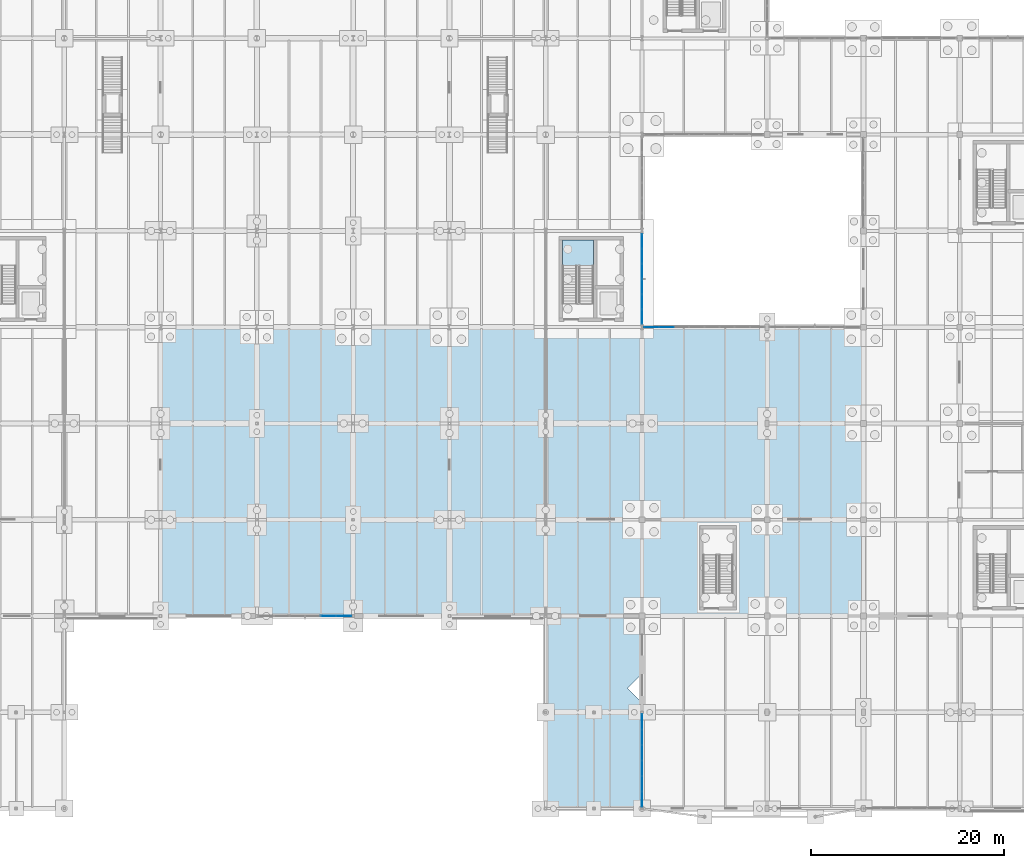
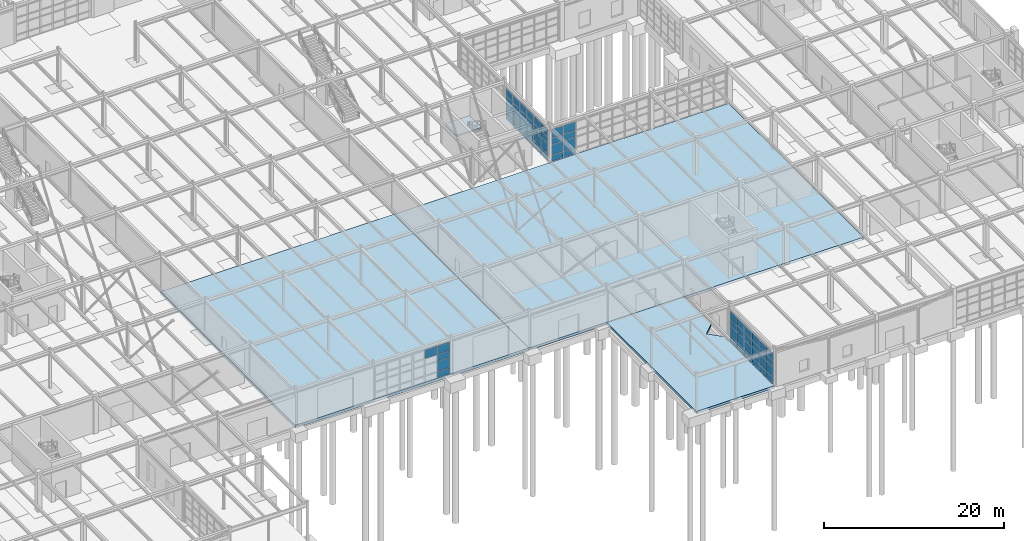
# One storey, part 85 of 145: 61 plates, 4 slabs, 5 elements without a shape of their own.
"""IFC4 building model written with IfcOpenShell, lengths in metres."""

from ifc_helpers import new_model, si_unit, direction, frame, origin, origin_2d, place, context, subcontext, project, spatial, polyline, rectangle, outline, extrude, material, layer, layer_set, type_object, element, aggregate, save


model = new_model("IFC4")

# Units and contexts
model_context = context("Model", 3, precision=1e-05, world=origin(), true_north=direction((0.0, 1.0)))
body_context = subcontext(model_context, "Body", "Model", "MODEL_VIEW")
ifc_project = project(units=[si_unit("LENGTHUNIT", "METRE"), si_unit("AREAUNIT", "SQUARE_METRE"), si_unit("VOLUMEUNIT", "CUBIC_METRE"), si_unit("PLANEANGLEUNIT", "RADIAN"), si_unit("MASSUNIT", "GRAM", prefix="KILO"), si_unit("THERMODYNAMICTEMPERATUREUNIT", "KELVIN"), si_unit("POWERUNIT", "WATT")], contexts=[model_context])

# Site, building, storey
site_placement = place(None, origin())
site = spatial("IfcSite", under=ifc_project, at=site_placement, CompositionType="ELEMENT")
building_placement = place(site_placement, origin())
building = spatial("IfcBuilding", under=site, at=building_placement, Name="Korenveer Ferry Terminal", CompositionType="ELEMENT")
storey_placement = place(building_placement, origin())
storey = spatial("IfcBuildingStorey", under=building, at=storey_placement, Name="L00", CompositionType="ELEMENT", Elevation=0.0)

# Curtain wall, plates
ifc_material_1 = material(Name="Unitised bronze-and-glass curtain wall", Category="glass")
ifc_layer_1 = layer(ifc_material_1, 0.159912109375)
ifc_layer_set_1 = layer_set([ifc_layer_1], Name="Unitised bronze-and-glass curtain wall")
curtain_wall_type_1 = type_object("IfcCurtainWallType", Name="ENV-CW-02", PredefinedType="USERDEFINED", material=ifc_layer_set_1)
curtain_wall_1_placement = place(storey_placement, frame((83.155029296875, 20.0, 0.0)))
curtain_wall_1 = element("IfcCurtainWall", 1, at=curtain_wall_1_placement, inside=storey, type_object=curtain_wall_type_1, Name="Lancet curtain wall CWX-L00-X83-93-Y20-20", ObjectType="UNITISED CURTAIN WALL", PredefinedType="USERDEFINED")
ifc_material_2 = material(Name="Low-iron solar-control double glazing", Category="glass")
ifc_layer_2 = layer(ifc_material_2, 0.028076171875)
ifc_layer_set_2 = layer_set([ifc_layer_2], Name="Low-iron solar-control double glazing")
plate_type_1 = type_object("IfcPlateType", Name="ENV-CWP-GLZ28", PredefinedType="CURTAIN_PANEL", material=ifc_layer_set_2)
plate_1_placement = place(storey_placement, frame((90.422607421875, 20.0, 3.27978515625), z_axis=(0.0, 0.0, 1.0), x_axis=(1.0, 0.0, 0.0)))
plate_1 = element("IfcPlate", 2, at=plate_1_placement, type_object=plate_type_1, Name="CW-02 panel 5.4", PredefinedType="CURTAIN_PANEL", context=body_context, shape_type="SweptSolid", body=[
    extrude(rectangle(XDim=1.554931640625, YDim=0.028076171875, at=origin_2d()), origin(), (0.0, 0.0, 1.0), 1.110107421875),
])
plate_2_placement = place(storey_placement, frame((92.0224609375, 20.0, 0.06005859375), z_axis=(0.0, 0.0, 1.0), x_axis=(1.0, 0.0, 0.0)))
plate_2 = element("IfcPlate", 3, at=plate_2_placement, type_object=plate_type_1, Name="CW-02 panel 6.1", PredefinedType="CURTAIN_PANEL", context=body_context, shape_type="SweptSolid", body=[
    extrude(rectangle(XDim=1.52490234375, YDim=0.028076171875, at=origin_2d()), origin(), (0.0, 0.0, 1.0), 0.81005859375),
])
plate_3_placement = place(storey_placement, frame((92.0224609375, 20.0, 0.93017578125), z_axis=(0.0, 0.0, 1.0), x_axis=(1.0, 0.0, 0.0)))
plate_3 = element("IfcPlate", 4, at=plate_3_placement, type_object=plate_type_1, Name="CW-02 panel 6.2", PredefinedType="CURTAIN_PANEL", context=body_context, shape_type="SweptSolid", body=[
    extrude(rectangle(XDim=1.52490234375, YDim=0.028076171875, at=origin_2d()), origin(), (0.0, 0.0, 1.0), 1.389892578125),
])
plate_4_placement = place(storey_placement, frame((92.0224609375, 20.0, 2.3798828125), z_axis=(0.0, 0.0, 1.0), x_axis=(1.0, 0.0, 0.0)))
plate_4 = element("IfcPlate", 5, at=plate_4_placement, type_object=plate_type_1, Name="CW-02 panel 6.3", PredefinedType="CURTAIN_PANEL", context=body_context, shape_type="SweptSolid", body=[
    extrude(rectangle(XDim=1.52490234375, YDim=0.028076171875, at=origin_2d()), origin(), (0.0, 0.0, 1.0), 0.840087890625),
])
plate_5_placement = place(storey_placement, frame((92.0224609375, 20.0, 3.27978515625), z_axis=(0.0, 0.0, 1.0), x_axis=(1.0, 0.0, 0.0)))
plate_5 = element("IfcPlate", 6, at=plate_5_placement, type_object=plate_type_1, Name="CW-02 panel 6.4", PredefinedType="CURTAIN_PANEL", context=body_context, shape_type="SweptSolid", body=[
    extrude(rectangle(XDim=1.52490234375, YDim=0.028076171875, at=origin_2d()), origin(), (0.0, 0.0, 1.0), 1.110107421875),
])
aggregate(curtain_wall_1, [plate_1, plate_2, plate_3, plate_4, plate_5])

ifc_layer_3 = layer(ifc_material_1, 0.159912109375)
ifc_layer_set_3 = layer_set([ifc_layer_3], Name="Unitised bronze-and-glass curtain wall")
curtain_wall_type_2 = type_object("IfcCurtainWallType", Name="ENV-CW-04", PredefinedType="USERDEFINED", material=ifc_layer_set_3)
curtain_wall_2_placement = place(storey_placement, frame((123.179931640625, 50.0, 0.0)))
curtain_wall_2 = element("IfcCurtainWall", 7, at=curtain_wall_2_placement, inside=storey, type_object=curtain_wall_type_2, Name="Lancet curtain wall CWX-L00-X123-136-Y50-50", ObjectType="UNITISED CURTAIN WALL", PredefinedType="USERDEFINED")
plate_6_placement = place(storey_placement, frame((123.98193359375, 50.0, 0.06005859375), z_axis=(0.0, 0.0, 1.0), x_axis=(1.0, 0.0, 0.0)))
plate_6 = element("IfcPlate", 8, at=plate_6_placement, type_object=plate_type_1, Name="CW-04 panel 1.1", PredefinedType="CURTAIN_PANEL", context=body_context, shape_type="SweptSolid", body=[
    extrude(rectangle(XDim=1.483642578125, YDim=0.028076171875, at=origin_2d()), origin(), (0.0, 0.0, 1.0), 0.81005859375),
])
plate_7_placement = place(storey_placement, frame((123.98193359375, 50.0, 0.93017578125), z_axis=(0.0, 0.0, 1.0), x_axis=(1.0, 0.0, 0.0)))
plate_7 = element("IfcPlate", 9, at=plate_7_placement, type_object=plate_type_1, Name="CW-04 panel 1.2", PredefinedType="CURTAIN_PANEL", context=body_context, shape_type="SweptSolid", body=[
    extrude(rectangle(XDim=1.483642578125, YDim=0.028076171875, at=origin_2d()), origin(), (0.0, 0.0, 1.0), 1.389892578125),
])
plate_8_placement = place(storey_placement, frame((123.98193359375, 50.0, 2.3798828125), z_axis=(0.0, 0.0, 1.0), x_axis=(1.0, 0.0, 0.0)))
plate_8 = element("IfcPlate", 10, at=plate_8_placement, type_object=plate_type_1, Name="CW-04 panel 1.3", PredefinedType="CURTAIN_PANEL", context=body_context, shape_type="SweptSolid", body=[
    extrude(rectangle(XDim=1.483642578125, YDim=0.028076171875, at=origin_2d()), origin(), (0.0, 0.0, 1.0), 0.840087890625),
])
plate_9_placement = place(storey_placement, frame((123.98193359375, 50.0, 3.280029296875), z_axis=(0.0, 0.0, 1.0), x_axis=(1.0, 0.0, 0.0)))
plate_9 = element("IfcPlate", 11, at=plate_9_placement, type_object=plate_type_1, Name="CW-04 panel 1.4", PredefinedType="CURTAIN_PANEL", context=body_context, shape_type="SweptSolid", body=[
    extrude(rectangle(XDim=1.483642578125, YDim=0.028076171875, at=origin_2d()), origin(), (0.0, 0.0, 1.0), 1.14990234375),
])
plate_10_placement = place(storey_placement, frame((125.54052734375, 50.0, 0.06005859375), z_axis=(0.0, 0.0, 1.0), x_axis=(1.0, 0.0, 0.0)))
plate_10 = element("IfcPlate", 12, at=plate_10_placement, type_object=plate_type_1, Name="CW-04 panel 2.1", PredefinedType="CURTAIN_PANEL", context=body_context, shape_type="SweptSolid", body=[
    extrude(rectangle(XDim=1.513671875, YDim=0.028076171875, at=origin_2d()), origin(), (0.0, 0.0, 1.0), 0.81005859375),
])
plate_11_placement = place(storey_placement, frame((125.54052734375, 50.0, 0.93017578125), z_axis=(0.0, 0.0, 1.0), x_axis=(1.0, 0.0, 0.0)))
plate_11 = element("IfcPlate", 13, at=plate_11_placement, type_object=plate_type_1, Name="CW-04 panel 2.2", PredefinedType="CURTAIN_PANEL", context=body_context, shape_type="SweptSolid", body=[
    extrude(rectangle(XDim=1.513671875, YDim=0.028076171875, at=origin_2d()), origin(), (0.0, 0.0, 1.0), 1.389892578125),
])
plate_12_placement = place(storey_placement, frame((125.54052734375, 50.0, 2.3798828125), z_axis=(0.0, 0.0, 1.0), x_axis=(1.0, 0.0, 0.0)))
plate_12 = element("IfcPlate", 14, at=plate_12_placement, type_object=plate_type_1, Name="CW-04 panel 2.3", PredefinedType="CURTAIN_PANEL", context=body_context, shape_type="SweptSolid", body=[
    extrude(rectangle(XDim=1.513671875, YDim=0.028076171875, at=origin_2d()), origin(), (0.0, 0.0, 1.0), 0.840087890625),
])
plate_13_placement = place(storey_placement, frame((125.54052734375, 50.0, 3.280029296875), z_axis=(0.0, 0.0, 1.0), x_axis=(1.0, 0.0, 0.0)))
plate_13 = element("IfcPlate", 15, at=plate_13_placement, type_object=plate_type_1, Name="CW-04 panel 2.4", PredefinedType="CURTAIN_PANEL", context=body_context, shape_type="SweptSolid", body=[
    extrude(rectangle(XDim=1.513671875, YDim=0.028076171875, at=origin_2d()), origin(), (0.0, 0.0, 1.0), 1.14990234375),
])
aggregate(curtain_wall_2, [plate_6, plate_7, plate_8, plate_9, plate_10, plate_11, plate_12, plate_13])

ifc_layer_4 = layer(ifc_material_1, 0.159912109375)
ifc_layer_set_4 = layer_set([ifc_layer_4], Name="Unitised bronze-and-glass curtain wall")
curtain_wall_type_3 = type_object("IfcCurtainWallType", Name="ENV-CW-25", PredefinedType="USERDEFINED", material=ifc_layer_set_4)
curtain_wall_3_placement = place(storey_placement, frame((123.0, 0.155029296875, 0.0)))
curtain_wall_3 = element("IfcCurtainWall", 16, at=curtain_wall_3_placement, inside=storey, type_object=curtain_wall_type_3, Name="Lancet curtain wall CWX-L00-X123-123-Y0-10", ObjectType="UNITISED CURTAIN WALL", PredefinedType="USERDEFINED")
plate_14_placement = place(storey_placement, frame((123.0, 0.9775390625, 0.06005859375), z_axis=(0.0, 0.0, 1.0), x_axis=(0.0, 1.0, 0.0)))
plate_14 = element("IfcPlate", 17, at=plate_14_placement, type_object=plate_type_1, Name="CW-25 panel 1.1", PredefinedType="CURTAIN_PANEL", context=body_context, shape_type="SweptSolid", body=[
    extrude(rectangle(XDim=1.52490234375, YDim=0.028076171875, at=origin_2d()), origin(), (0.0, 0.0, 1.0), 0.81005859375),
])
plate_15_placement = place(storey_placement, frame((123.0, 0.9775390625, 0.93017578125), z_axis=(0.0, 0.0, 1.0), x_axis=(0.0, 1.0, 0.0)))
plate_15 = element("IfcPlate", 18, at=plate_15_placement, type_object=plate_type_1, Name="CW-25 panel 1.2", PredefinedType="CURTAIN_PANEL", context=body_context, shape_type="SweptSolid", body=[
    extrude(rectangle(XDim=1.52490234375, YDim=0.028076171875, at=origin_2d()), origin(), (0.0, 0.0, 1.0), 1.389892578125),
])
plate_16_placement = place(storey_placement, frame((123.0, 0.9775390625, 2.3798828125), z_axis=(0.0, 0.0, 1.0), x_axis=(0.0, 1.0, 0.0)))
plate_16 = element("IfcPlate", 19, at=plate_16_placement, type_object=plate_type_1, Name="CW-25 panel 1.3", PredefinedType="CURTAIN_PANEL", context=body_context, shape_type="SweptSolid", body=[
    extrude(rectangle(XDim=1.52490234375, YDim=0.028076171875, at=origin_2d()), origin(), (0.0, 0.0, 1.0), 0.840087890625),
])
plate_17_placement = place(storey_placement, frame((123.0, 0.9775390625, 3.27978515625), z_axis=(0.0, 0.0, 1.0), x_axis=(0.0, 1.0, 0.0)))
plate_17 = element("IfcPlate", 20, at=plate_17_placement, type_object=plate_type_1, Name="CW-25 panel 1.4", PredefinedType="CURTAIN_PANEL", context=body_context, shape_type="SweptSolid", body=[
    extrude(rectangle(XDim=1.52490234375, YDim=0.028076171875, at=origin_2d()), origin(), (0.0, 0.0, 1.0), 0.989990234375),
])
plate_18_placement = place(storey_placement, frame((123.0, 2.577392578125, 0.06005859375), z_axis=(0.0, 0.0, 1.0), x_axis=(0.0, 1.0, 0.0)))
plate_18 = element("IfcPlate", 21, at=plate_18_placement, type_object=plate_type_1, Name="CW-25 panel 2.1", PredefinedType="CURTAIN_PANEL", context=body_context, shape_type="SweptSolid", body=[
    extrude(rectangle(XDim=1.554931640625, YDim=0.028076171875, at=origin_2d()), origin(), (0.0, 0.0, 1.0), 0.81005859375),
])
plate_19_placement = place(storey_placement, frame((123.0, 2.577392578125, 0.93017578125), z_axis=(0.0, 0.0, 1.0), x_axis=(0.0, 1.0, 0.0)))
plate_19 = element("IfcPlate", 22, at=plate_19_placement, type_object=plate_type_1, Name="CW-25 panel 2.2", PredefinedType="CURTAIN_PANEL", context=body_context, shape_type="SweptSolid", body=[
    extrude(rectangle(XDim=1.554931640625, YDim=0.028076171875, at=origin_2d()), origin(), (0.0, 0.0, 1.0), 1.389892578125),
])
plate_20_placement = place(storey_placement, frame((123.0, 2.577392578125, 2.3798828125), z_axis=(0.0, 0.0, 1.0), x_axis=(0.0, 1.0, 0.0)))
plate_20 = element("IfcPlate", 23, at=plate_20_placement, type_object=plate_type_1, Name="CW-25 panel 2.3", PredefinedType="CURTAIN_PANEL", context=body_context, shape_type="SweptSolid", body=[
    extrude(rectangle(XDim=1.554931640625, YDim=0.028076171875, at=origin_2d()), origin(), (0.0, 0.0, 1.0), 0.840087890625),
])
plate_21_placement = place(storey_placement, frame((123.0, 2.577392578125, 3.27978515625), z_axis=(0.0, 0.0, 1.0), x_axis=(0.0, 1.0, 0.0)))
plate_21 = element("IfcPlate", 24, at=plate_21_placement, type_object=plate_type_1, Name="CW-25 panel 2.4", PredefinedType="CURTAIN_PANEL", context=body_context, shape_type="SweptSolid", body=[
    extrude(rectangle(XDim=1.554931640625, YDim=0.028076171875, at=origin_2d()), origin(), (0.0, 0.0, 1.0), 0.989990234375),
])
plate_22_placement = place(storey_placement, frame((123.0, 4.1923828125, 0.06005859375), z_axis=(0.0, 0.0, 1.0), x_axis=(0.0, 1.0, 0.0)))
plate_22 = element("IfcPlate", 25, at=plate_22_placement, type_object=plate_type_1, Name="CW-25 panel 3.1", PredefinedType="CURTAIN_PANEL", context=body_context, shape_type="SweptSolid", body=[
    extrude(rectangle(XDim=1.554931640625, YDim=0.028076171875, at=origin_2d()), origin(), (0.0, 0.0, 1.0), 0.81005859375),
])
plate_23_placement = place(storey_placement, frame((123.0, 4.1923828125, 0.93017578125), z_axis=(0.0, 0.0, 1.0), x_axis=(0.0, 1.0, 0.0)))
plate_23 = element("IfcPlate", 26, at=plate_23_placement, type_object=plate_type_1, Name="CW-25 panel 3.2", PredefinedType="CURTAIN_PANEL", context=body_context, shape_type="SweptSolid", body=[
    extrude(rectangle(XDim=1.554931640625, YDim=0.028076171875, at=origin_2d()), origin(), (0.0, 0.0, 1.0), 1.389892578125),
])
plate_24_placement = place(storey_placement, frame((123.0, 4.1923828125, 2.3798828125), z_axis=(0.0, 0.0, 1.0), x_axis=(0.0, 1.0, 0.0)))
plate_24 = element("IfcPlate", 27, at=plate_24_placement, type_object=plate_type_1, Name="CW-25 panel 3.3", PredefinedType="CURTAIN_PANEL", context=body_context, shape_type="SweptSolid", body=[
    extrude(rectangle(XDim=1.554931640625, YDim=0.028076171875, at=origin_2d()), origin(), (0.0, 0.0, 1.0), 0.840087890625),
])
plate_25_placement = place(storey_placement, frame((123.0, 4.1923828125, 3.27978515625), z_axis=(0.0, 0.0, 1.0), x_axis=(0.0, 1.0, 0.0)))
plate_25 = element("IfcPlate", 28, at=plate_25_placement, type_object=plate_type_1, Name="CW-25 panel 3.4", PredefinedType="CURTAIN_PANEL", context=body_context, shape_type="SweptSolid", body=[
    extrude(rectangle(XDim=1.554931640625, YDim=0.028076171875, at=origin_2d()), origin(), (0.0, 0.0, 1.0), 0.989990234375),
])
plate_26_placement = place(storey_placement, frame((123.0, 5.8076171875, 0.06005859375), z_axis=(0.0, 0.0, 1.0), x_axis=(0.0, 1.0, 0.0)))
plate_26 = element("IfcPlate", 29, at=plate_26_placement, type_object=plate_type_1, Name="CW-25 panel 4.1", PredefinedType="CURTAIN_PANEL", context=body_context, shape_type="SweptSolid", body=[
    extrude(rectangle(XDim=1.554931640625, YDim=0.028076171875, at=origin_2d()), origin(), (0.0, 0.0, 1.0), 0.81005859375),
])
plate_27_placement = place(storey_placement, frame((123.0, 5.8076171875, 0.93017578125), z_axis=(0.0, 0.0, 1.0), x_axis=(0.0, 1.0, 0.0)))
plate_27 = element("IfcPlate", 30, at=plate_27_placement, type_object=plate_type_1, Name="CW-25 panel 4.2", PredefinedType="CURTAIN_PANEL", context=body_context, shape_type="SweptSolid", body=[
    extrude(rectangle(XDim=1.554931640625, YDim=0.028076171875, at=origin_2d()), origin(), (0.0, 0.0, 1.0), 1.389892578125),
])
plate_28_placement = place(storey_placement, frame((123.0, 5.8076171875, 2.3798828125), z_axis=(0.0, 0.0, 1.0), x_axis=(0.0, 1.0, 0.0)))
plate_28 = element("IfcPlate", 31, at=plate_28_placement, type_object=plate_type_1, Name="CW-25 panel 4.3", PredefinedType="CURTAIN_PANEL", context=body_context, shape_type="SweptSolid", body=[
    extrude(rectangle(XDim=1.554931640625, YDim=0.028076171875, at=origin_2d()), origin(), (0.0, 0.0, 1.0), 0.840087890625),
])
plate_29_placement = place(storey_placement, frame((123.0, 5.8076171875, 3.27978515625), z_axis=(0.0, 0.0, 1.0), x_axis=(0.0, 1.0, 0.0)))
plate_29 = element("IfcPlate", 32, at=plate_29_placement, type_object=plate_type_1, Name="CW-25 panel 4.4", PredefinedType="CURTAIN_PANEL", context=body_context, shape_type="SweptSolid", body=[
    extrude(rectangle(XDim=1.554931640625, YDim=0.028076171875, at=origin_2d()), origin(), (0.0, 0.0, 1.0), 0.989990234375),
])
plate_30_placement = place(storey_placement, frame((123.0, 7.422607421875, 0.06005859375), z_axis=(0.0, 0.0, 1.0), x_axis=(0.0, 1.0, 0.0)))
plate_30 = element("IfcPlate", 33, at=plate_30_placement, type_object=plate_type_1, Name="CW-25 panel 5.1", PredefinedType="CURTAIN_PANEL", context=body_context, shape_type="SweptSolid", body=[
    extrude(rectangle(XDim=1.554931640625, YDim=0.028076171875, at=origin_2d()), origin(), (0.0, 0.0, 1.0), 0.81005859375),
])
plate_31_placement = place(storey_placement, frame((123.0, 7.422607421875, 0.93017578125), z_axis=(0.0, 0.0, 1.0), x_axis=(0.0, 1.0, 0.0)))
plate_31 = element("IfcPlate", 34, at=plate_31_placement, type_object=plate_type_1, Name="CW-25 panel 5.2", PredefinedType="CURTAIN_PANEL", context=body_context, shape_type="SweptSolid", body=[
    extrude(rectangle(XDim=1.554931640625, YDim=0.028076171875, at=origin_2d()), origin(), (0.0, 0.0, 1.0), 1.389892578125),
])
plate_32_placement = place(storey_placement, frame((123.0, 7.422607421875, 2.3798828125), z_axis=(0.0, 0.0, 1.0), x_axis=(0.0, 1.0, 0.0)))
plate_32 = element("IfcPlate", 35, at=plate_32_placement, type_object=plate_type_1, Name="CW-25 panel 5.3", PredefinedType="CURTAIN_PANEL", context=body_context, shape_type="SweptSolid", body=[
    extrude(rectangle(XDim=1.554931640625, YDim=0.028076171875, at=origin_2d()), origin(), (0.0, 0.0, 1.0), 0.840087890625),
])
plate_33_placement = place(storey_placement, frame((123.0, 7.422607421875, 3.27978515625), z_axis=(0.0, 0.0, 1.0), x_axis=(0.0, 1.0, 0.0)))
plate_33 = element("IfcPlate", 36, at=plate_33_placement, type_object=plate_type_1, Name="CW-25 panel 5.4", PredefinedType="CURTAIN_PANEL", context=body_context, shape_type="SweptSolid", body=[
    extrude(rectangle(XDim=1.554931640625, YDim=0.028076171875, at=origin_2d()), origin(), (0.0, 0.0, 1.0), 0.989990234375),
])
plate_34_placement = place(storey_placement, frame((123.0, 9.0224609375, 0.06005859375), z_axis=(0.0, 0.0, 1.0), x_axis=(0.0, 1.0, 0.0)))
plate_34 = element("IfcPlate", 37, at=plate_34_placement, type_object=plate_type_1, Name="CW-25 panel 6.1", PredefinedType="CURTAIN_PANEL", context=body_context, shape_type="SweptSolid", body=[
    extrude(rectangle(XDim=1.52490234375, YDim=0.028076171875, at=origin_2d()), origin(), (0.0, 0.0, 1.0), 0.81005859375),
])
plate_35_placement = place(storey_placement, frame((123.0, 9.0224609375, 0.93017578125), z_axis=(0.0, 0.0, 1.0), x_axis=(0.0, 1.0, 0.0)))
plate_35 = element("IfcPlate", 38, at=plate_35_placement, type_object=plate_type_1, Name="CW-25 panel 6.2", PredefinedType="CURTAIN_PANEL", context=body_context, shape_type="SweptSolid", body=[
    extrude(rectangle(XDim=1.52490234375, YDim=0.028076171875, at=origin_2d()), origin(), (0.0, 0.0, 1.0), 1.389892578125),
])
plate_36_placement = place(storey_placement, frame((123.0, 9.0224609375, 2.3798828125), z_axis=(0.0, 0.0, 1.0), x_axis=(0.0, 1.0, 0.0)))
plate_36 = element("IfcPlate", 39, at=plate_36_placement, type_object=plate_type_1, Name="CW-25 panel 6.3", PredefinedType="CURTAIN_PANEL", context=body_context, shape_type="SweptSolid", body=[
    extrude(rectangle(XDim=1.52490234375, YDim=0.028076171875, at=origin_2d()), origin(), (0.0, 0.0, 1.0), 0.840087890625),
])
plate_37_placement = place(storey_placement, frame((123.0, 9.0224609375, 3.27978515625), z_axis=(0.0, 0.0, 1.0), x_axis=(0.0, 1.0, 0.0)))
plate_37 = element("IfcPlate", 40, at=plate_37_placement, type_object=plate_type_1, Name="CW-25 panel 6.4", PredefinedType="CURTAIN_PANEL", context=body_context, shape_type="SweptSolid", body=[
    extrude(rectangle(XDim=1.52490234375, YDim=0.028076171875, at=origin_2d()), origin(), (0.0, 0.0, 1.0), 0.989990234375),
])
aggregate(curtain_wall_3, [plate_14, plate_15, plate_16, plate_17, plate_18, plate_19, plate_20, plate_21, plate_22, plate_23, plate_24, plate_25, plate_26, plate_27, plate_28, plate_29, plate_30, plate_31, plate_32, plate_33, plate_34, plate_35, plate_36, plate_37])

ifc_layer_5 = layer(ifc_material_1, 0.219970703125)
ifc_layer_set_5 = layer_set([ifc_layer_5], Name="Unitised bronze-and-glass curtain wall")
curtain_wall_type_4 = type_object("IfcCurtainWallType", Name="ENV-CW-26", PredefinedType="USERDEFINED", material=ifc_layer_set_5)
curtain_wall_4_placement = place(storey_placement, frame((123.0, 59.719970703125, 0.0)))
curtain_wall_4 = element("IfcCurtainWall", 41, at=curtain_wall_4_placement, inside=storey, type_object=curtain_wall_type_4, Name="Lancet curtain wall CWX-L00-X123-123-Y50-60", ObjectType="UNITISED CURTAIN WALL", PredefinedType="USERDEFINED")
ifc_material_3 = material(Name="Acoustic laminated marine glazing", Category="glass")
ifc_layer_6 = layer(ifc_material_3, 0.035888671875)
ifc_layer_set_6 = layer_set([ifc_layer_6], Name="Acoustic laminated marine glazing")
plate_type_2 = type_object("IfcPlateType", Name="ENV-CWP-GLZ36", PredefinedType="CURTAIN_PANEL", material=ifc_layer_set_6)
plate_38_placement = place(storey_placement, frame((123.0, 58.91455078125, 0.074951171875), z_axis=(0.0, 0.0, 1.0), x_axis=(0.0, -1.0, 0.0)))
plate_38 = element("IfcPlate", 42, at=plate_38_placement, type_object=plate_type_2, Name="CW-26 panel 1.1", PredefinedType="CURTAIN_PANEL", context=body_context, shape_type="SweptSolid", body=[
    extrude(rectangle(XDim=1.4609375, YDim=0.035888671875, at=origin_2d()), origin(), (0.0, 0.0, 1.0), 0.78759765625),
])
plate_39_placement = place(storey_placement, frame((123.0, 58.91455078125, 0.9375), z_axis=(0.0, 0.0, 1.0), x_axis=(0.0, -1.0, 0.0)))
plate_39 = element("IfcPlate", 43, at=plate_39_placement, type_object=plate_type_2, Name="CW-26 panel 1.2", PredefinedType="CURTAIN_PANEL", context=body_context, shape_type="SweptSolid", body=[
    extrude(rectangle(XDim=1.4609375, YDim=0.035888671875, at=origin_2d()), origin(), (0.0, 0.0, 1.0), 1.375),
])
plate_40_placement = place(storey_placement, frame((123.0, 58.91455078125, 2.3876953125), z_axis=(0.0, 0.0, 1.0), x_axis=(0.0, -1.0, 0.0)))
plate_40 = element("IfcPlate", 44, at=plate_40_placement, type_object=plate_type_2, Name="CW-26 panel 1.3", PredefinedType="CURTAIN_PANEL", context=body_context, shape_type="SweptSolid", body=[
    extrude(rectangle(XDim=1.4609375, YDim=0.035888671875, at=origin_2d()), origin(), (0.0, 0.0, 1.0), 0.824951171875),
])
plate_41_placement = place(storey_placement, frame((123.0, 58.91455078125, 3.28759765625), z_axis=(0.0, 0.0, 1.0), x_axis=(0.0, -1.0, 0.0)))
plate_41 = element("IfcPlate", 45, at=plate_41_placement, type_object=plate_type_2, Name="CW-26 panel 1.4", PredefinedType="CURTAIN_PANEL", context=body_context, shape_type="SweptSolid", body=[
    extrude(rectangle(XDim=1.4609375, YDim=0.035888671875, at=origin_2d()), origin(), (0.0, 0.0, 1.0), 0.987548828125),
])
plate_42_placement = place(storey_placement, frame((123.0, 57.360107421875, 0.074951171875), z_axis=(0.0, 0.0, 1.0), x_axis=(0.0, -1.0, 0.0)))
plate_42 = element("IfcPlate", 46, at=plate_42_placement, type_object=plate_type_2, Name="CW-26 panel 2.1", PredefinedType="CURTAIN_PANEL", context=body_context, shape_type="SweptSolid", body=[
    extrude(rectangle(XDim=1.498291015625, YDim=0.035888671875, at=origin_2d()), origin(), (0.0, 0.0, 1.0), 0.78759765625),
])
plate_43_placement = place(storey_placement, frame((123.0, 57.360107421875, 0.9375), z_axis=(0.0, 0.0, 1.0), x_axis=(0.0, -1.0, 0.0)))
plate_43 = element("IfcPlate", 47, at=plate_43_placement, type_object=plate_type_2, Name="CW-26 panel 2.2", PredefinedType="CURTAIN_PANEL", context=body_context, shape_type="SweptSolid", body=[
    extrude(rectangle(XDim=1.498291015625, YDim=0.035888671875, at=origin_2d()), origin(), (0.0, 0.0, 1.0), 1.375),
])
plate_44_placement = place(storey_placement, frame((123.0, 57.360107421875, 2.3876953125), z_axis=(0.0, 0.0, 1.0), x_axis=(0.0, -1.0, 0.0)))
plate_44 = element("IfcPlate", 48, at=plate_44_placement, type_object=plate_type_2, Name="CW-26 panel 2.3", PredefinedType="CURTAIN_PANEL", context=body_context, shape_type="SweptSolid", body=[
    extrude(rectangle(XDim=1.498291015625, YDim=0.035888671875, at=origin_2d()), origin(), (0.0, 0.0, 1.0), 0.824951171875),
])
plate_45_placement = place(storey_placement, frame((123.0, 57.360107421875, 3.28759765625), z_axis=(0.0, 0.0, 1.0), x_axis=(0.0, -1.0, 0.0)))
plate_45 = element("IfcPlate", 49, at=plate_45_placement, type_object=plate_type_2, Name="CW-26 panel 2.4", PredefinedType="CURTAIN_PANEL", context=body_context, shape_type="SweptSolid", body=[
    extrude(rectangle(XDim=1.498291015625, YDim=0.035888671875, at=origin_2d()), origin(), (0.0, 0.0, 1.0), 0.987548828125),
])
plate_46_placement = place(storey_placement, frame((123.0, 55.78662109375, 0.074951171875), z_axis=(0.0, 0.0, 1.0), x_axis=(0.0, -1.0, 0.0)))
plate_46 = element("IfcPlate", 50, at=plate_46_placement, type_object=plate_type_2, Name="CW-26 panel 3.1", PredefinedType="CURTAIN_PANEL", context=body_context, shape_type="SweptSolid", body=[
    extrude(rectangle(XDim=1.498291015625, YDim=0.035888671875, at=origin_2d()), origin(), (0.0, 0.0, 1.0), 0.78759765625),
])
plate_47_placement = place(storey_placement, frame((123.0, 55.78662109375, 0.9375), z_axis=(0.0, 0.0, 1.0), x_axis=(0.0, -1.0, 0.0)))
plate_47 = element("IfcPlate", 51, at=plate_47_placement, type_object=plate_type_2, Name="CW-26 panel 3.2", PredefinedType="CURTAIN_PANEL", context=body_context, shape_type="SweptSolid", body=[
    extrude(rectangle(XDim=1.498291015625, YDim=0.035888671875, at=origin_2d()), origin(), (0.0, 0.0, 1.0), 1.375),
])
plate_48_placement = place(storey_placement, frame((123.0, 55.78662109375, 2.3876953125), z_axis=(0.0, 0.0, 1.0), x_axis=(0.0, -1.0, 0.0)))
plate_48 = element("IfcPlate", 52, at=plate_48_placement, type_object=plate_type_2, Name="CW-26 panel 3.3", PredefinedType="CURTAIN_PANEL", context=body_context, shape_type="SweptSolid", body=[
    extrude(rectangle(XDim=1.498291015625, YDim=0.035888671875, at=origin_2d()), origin(), (0.0, 0.0, 1.0), 0.824951171875),
])
plate_49_placement = place(storey_placement, frame((123.0, 55.78662109375, 3.28759765625), z_axis=(0.0, 0.0, 1.0), x_axis=(0.0, -1.0, 0.0)))
plate_49 = element("IfcPlate", 53, at=plate_49_placement, type_object=plate_type_2, Name="CW-26 panel 3.4", PredefinedType="CURTAIN_PANEL", context=body_context, shape_type="SweptSolid", body=[
    extrude(rectangle(XDim=1.498291015625, YDim=0.035888671875, at=origin_2d()), origin(), (0.0, 0.0, 1.0), 0.987548828125),
])
plate_50_placement = place(storey_placement, frame((123.0, 54.21337890625, 0.074951171875), z_axis=(0.0, 0.0, 1.0), x_axis=(0.0, -1.0, 0.0)))
plate_50 = element("IfcPlate", 54, at=plate_50_placement, type_object=plate_type_2, Name="CW-26 panel 4.1", PredefinedType="CURTAIN_PANEL", context=body_context, shape_type="SweptSolid", body=[
    extrude(rectangle(XDim=1.498291015625, YDim=0.035888671875, at=origin_2d()), origin(), (0.0, 0.0, 1.0), 0.78759765625),
])
plate_51_placement = place(storey_placement, frame((123.0, 54.21337890625, 0.9375), z_axis=(0.0, 0.0, 1.0), x_axis=(0.0, -1.0, 0.0)))
plate_51 = element("IfcPlate", 55, at=plate_51_placement, type_object=plate_type_2, Name="CW-26 panel 4.2", PredefinedType="CURTAIN_PANEL", context=body_context, shape_type="SweptSolid", body=[
    extrude(rectangle(XDim=1.498291015625, YDim=0.035888671875, at=origin_2d()), origin(), (0.0, 0.0, 1.0), 1.375),
])
plate_52_placement = place(storey_placement, frame((123.0, 54.21337890625, 2.3876953125), z_axis=(0.0, 0.0, 1.0), x_axis=(0.0, -1.0, 0.0)))
plate_52 = element("IfcPlate", 56, at=plate_52_placement, type_object=plate_type_2, Name="CW-26 panel 4.3", PredefinedType="CURTAIN_PANEL", context=body_context, shape_type="SweptSolid", body=[
    extrude(rectangle(XDim=1.498291015625, YDim=0.035888671875, at=origin_2d()), origin(), (0.0, 0.0, 1.0), 0.824951171875),
])
plate_53_placement = place(storey_placement, frame((123.0, 54.21337890625, 3.28759765625), z_axis=(0.0, 0.0, 1.0), x_axis=(0.0, -1.0, 0.0)))
plate_53 = element("IfcPlate", 57, at=plate_53_placement, type_object=plate_type_2, Name="CW-26 panel 4.4", PredefinedType="CURTAIN_PANEL", context=body_context, shape_type="SweptSolid", body=[
    extrude(rectangle(XDim=1.498291015625, YDim=0.035888671875, at=origin_2d()), origin(), (0.0, 0.0, 1.0), 0.987548828125),
])
plate_54_placement = place(storey_placement, frame((123.0, 52.639892578125, 0.074951171875), z_axis=(0.0, 0.0, 1.0), x_axis=(0.0, -1.0, 0.0)))
plate_54 = element("IfcPlate", 58, at=plate_54_placement, type_object=plate_type_2, Name="CW-26 panel 5.1", PredefinedType="CURTAIN_PANEL", context=body_context, shape_type="SweptSolid", body=[
    extrude(rectangle(XDim=1.498291015625, YDim=0.035888671875, at=origin_2d()), origin(), (0.0, 0.0, 1.0), 0.78759765625),
])
plate_55_placement = place(storey_placement, frame((123.0, 52.639892578125, 0.9375), z_axis=(0.0, 0.0, 1.0), x_axis=(0.0, -1.0, 0.0)))
plate_55 = element("IfcPlate", 59, at=plate_55_placement, type_object=plate_type_2, Name="CW-26 panel 5.2", PredefinedType="CURTAIN_PANEL", context=body_context, shape_type="SweptSolid", body=[
    extrude(rectangle(XDim=1.498291015625, YDim=0.035888671875, at=origin_2d()), origin(), (0.0, 0.0, 1.0), 1.375),
])
plate_56_placement = place(storey_placement, frame((123.0, 52.639892578125, 2.3876953125), z_axis=(0.0, 0.0, 1.0), x_axis=(0.0, -1.0, 0.0)))
plate_56 = element("IfcPlate", 60, at=plate_56_placement, type_object=plate_type_2, Name="CW-26 panel 5.3", PredefinedType="CURTAIN_PANEL", context=body_context, shape_type="SweptSolid", body=[
    extrude(rectangle(XDim=1.498291015625, YDim=0.035888671875, at=origin_2d()), origin(), (0.0, 0.0, 1.0), 0.824951171875),
])
plate_57_placement = place(storey_placement, frame((123.0, 52.639892578125, 3.28759765625), z_axis=(0.0, 0.0, 1.0), x_axis=(0.0, -1.0, 0.0)))
plate_57 = element("IfcPlate", 61, at=plate_57_placement, type_object=plate_type_2, Name="CW-26 panel 5.4", PredefinedType="CURTAIN_PANEL", context=body_context, shape_type="SweptSolid", body=[
    extrude(rectangle(XDim=1.498291015625, YDim=0.035888671875, at=origin_2d()), origin(), (0.0, 0.0, 1.0), 0.987548828125),
])
plate_58_placement = place(storey_placement, frame((123.0, 51.08544921875, 0.074951171875), z_axis=(0.0, 0.0, 1.0), x_axis=(0.0, -1.0, 0.0)))
plate_58 = element("IfcPlate", 62, at=plate_58_placement, type_object=plate_type_2, Name="CW-26 panel 6.1", PredefinedType="CURTAIN_PANEL", context=body_context, shape_type="SweptSolid", body=[
    extrude(rectangle(XDim=1.4609375, YDim=0.035888671875, at=origin_2d()), origin(), (0.0, 0.0, 1.0), 0.78759765625),
])
plate_59_placement = place(storey_placement, frame((123.0, 51.08544921875, 0.9375), z_axis=(0.0, 0.0, 1.0), x_axis=(0.0, -1.0, 0.0)))
plate_59 = element("IfcPlate", 63, at=plate_59_placement, type_object=plate_type_2, Name="CW-26 panel 6.2", PredefinedType="CURTAIN_PANEL", context=body_context, shape_type="SweptSolid", body=[
    extrude(rectangle(XDim=1.4609375, YDim=0.035888671875, at=origin_2d()), origin(), (0.0, 0.0, 1.0), 1.375),
])
plate_60_placement = place(storey_placement, frame((123.0, 51.08544921875, 2.3876953125), z_axis=(0.0, 0.0, 1.0), x_axis=(0.0, -1.0, 0.0)))
plate_60 = element("IfcPlate", 64, at=plate_60_placement, type_object=plate_type_2, Name="CW-26 panel 6.3", PredefinedType="CURTAIN_PANEL", context=body_context, shape_type="SweptSolid", body=[
    extrude(rectangle(XDim=1.4609375, YDim=0.035888671875, at=origin_2d()), origin(), (0.0, 0.0, 1.0), 0.824951171875),
])
plate_61_placement = place(storey_placement, frame((123.0, 51.08544921875, 3.28759765625), z_axis=(0.0, 0.0, 1.0), x_axis=(0.0, -1.0, 0.0)))
plate_61 = element("IfcPlate", 65, at=plate_61_placement, type_object=plate_type_2, Name="CW-26 panel 6.4", PredefinedType="CURTAIN_PANEL", context=body_context, shape_type="SweptSolid", body=[
    extrude(rectangle(XDim=1.4609375, YDim=0.035888671875, at=origin_2d()), origin(), (0.0, 0.0, 1.0), 0.987548828125),
])
aggregate(curtain_wall_4, [plate_38, plate_39, plate_40, plate_41, plate_42, plate_43, plate_44, plate_45, plate_46, plate_47, plate_48, plate_49, plate_50, plate_51, plate_52, plate_53, plate_54, plate_55, plate_56, plate_57, plate_58, plate_59, plate_60, plate_61])

# Stair, slab
ifc_material_4 = material(Name="Concrete C40/50", Category="concrete")
stair_type = type_object("IfcStairType", Name="INT-ST-05", PredefinedType="HALF_TURN_STAIR", material=ifc_material_4)
stair_placement = place(storey_placement, frame((117.2099609375, 52.4599609375, 0.0)))
stair = element("IfcStair", 66, at=stair_placement, inside=storey, type_object=stair_type, Name="L00 Departure East Core K6", PredefinedType="HALF_TURN_STAIR")
ifc_layer_7 = layer(ifc_material_4, 0.199951171875)
ifc_layer_set_7 = layer_set([ifc_layer_7], Name="Concrete C40/50")
slab_type_1 = type_object("IfcSlabType", Name="INT-SL-LAND200", PredefinedType="LANDING", material=ifc_layer_set_7)
slab_1_placement = place(storey_placement, frame((0.0, 0.0, 2.5)))
slab_1 = element("IfcSlab", 67, at=slab_1_placement, type_object=slab_type_1, Name="ST06 landing 1", PredefinedType="LANDING", context=body_context, shape_type="SweptSolid", body=[
    extrude(outline(polyline([(117.9599609375, 56.3798828125), (117.9599609375, 59.0400390625), (114.760009765625, 59.0400390625), (114.760009765625, 56.3798828125), (117.9599609375, 56.3798828125)])), origin(), (0.0, 0.0, 1.0), 0.199951171875),
])
aggregate(stair, [slab_1])

# Slabs
ifc_layer_8 = layer(ifc_material_4, 0.35009765625)
ifc_layer_set_8 = layer_set([ifc_layer_8], Name="Concrete C40/50")
slab_type_2 = type_object("IfcSlabType", Name="STR-SL-BASE350", PredefinedType="BASESLAB", material=ifc_layer_set_8)
slab_2_placement = place(storey_placement, frame((0.0, 0.0, -0.35009765625)))
element("IfcSlab", 68, at=slab_2_placement, inside=storey, type_object=slab_type_2, Name="Floor slab SL-L00-ARE", PredefinedType="BASESLAB", context=body_context, shape_type="SweptSolid", body=[
    extrude(outline(polyline([(103.0, 20.0), (146.0, 20.0), (146.0, 50.0), (103.0, 50.0), (103.0, 20.0)])), origin(), (0.0, 0.0, 1.0), 0.35009765625),
])
ifc_layer_9 = layer(ifc_material_4, 0.39990234375)
ifc_layer_set_9 = layer_set([ifc_layer_9], Name="Concrete C40/50")
slab_type_3 = type_object("IfcSlabType", Name="STR-SL-BASE400", PredefinedType="BASESLAB", material=ifc_layer_set_9)
slab_3_placement = place(storey_placement, frame((0.0, 0.0, -0.39990234375)))
element("IfcSlab", 69, at=slab_3_placement, inside=storey, type_object=slab_type_3, Name="Floor slab SL-L00-RORO1", PredefinedType="BASESLAB", context=body_context, shape_type="SweptSolid", body=[
    extrude(outline(polyline([(73.0, 20.0), (103.0, 20.0), (103.0, 50.0), (73.0, 50.0), (73.0, 20.0)])), origin(), (0.0, 0.0, 1.0), 0.39990234375),
])
ifc_material_5 = material(Name="Concrete C35/45", Category="concrete")
ifc_layer_10 = layer(ifc_material_5, 0.320068359375)
ifc_layer_set_10 = layer_set([ifc_layer_10], Name="Concrete C35/45")
slab_type_4 = type_object("IfcSlabType", Name="STR-SL-FLR320", PredefinedType="FLOOR", material=ifc_layer_set_10)
slab_4_placement = place(storey_placement, frame((0.0, 0.0, -0.320068359375)))
element("IfcSlab", 70, at=slab_4_placement, inside=storey, type_object=slab_type_4, Name="East Forecourt Drop-Off Apron", PredefinedType="FLOOR", context=body_context, shape_type="SweptSolid", body=[
    extrude(outline(polyline([(113.0, 0.0), (123.0, 0.0), (123.0, 11.0), (121.5, 12.5), (123.0, 14.0), (123.0, 20.0), (113.0, 20.0), (113.0, 0.0)])), origin(), (0.0, 0.0, 1.0), 0.320068359375),
])

save(model, "model.ifc")
